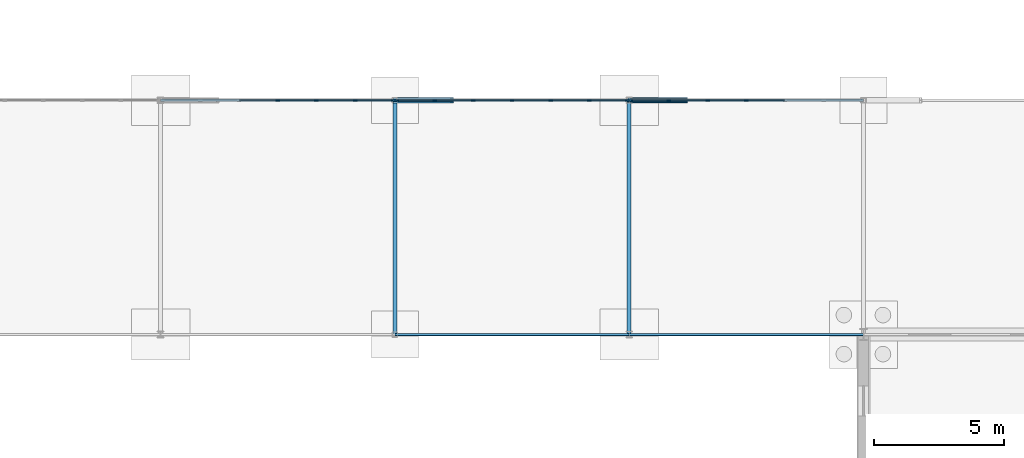
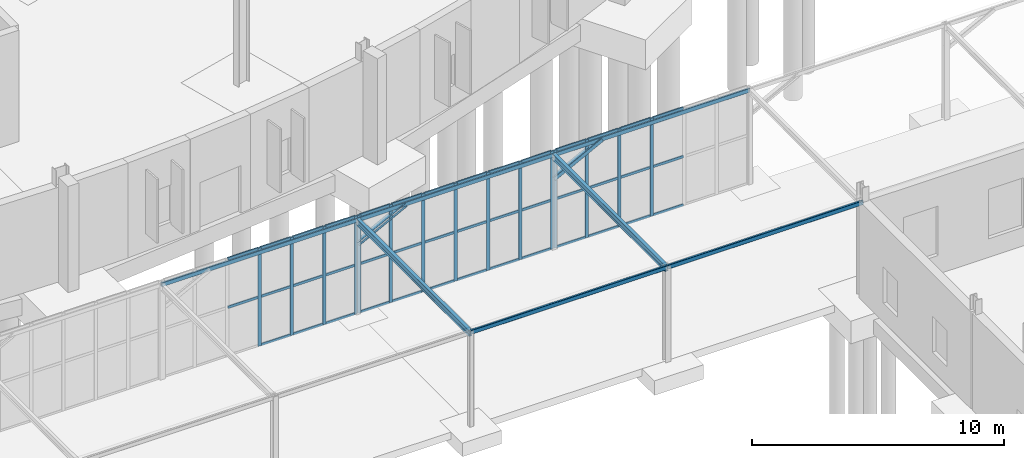
# One storey, part 54 of 118: 58 members, 7 beams, 3 elements without a shape of their own.
"""IFC4 building model written with IfcOpenShell, lengths in metres."""

from ifc_helpers import new_model, si_unit, direction, frame, origin, origin_2d, place, context, subcontext, project, spatial, rectangle, hollow_rectangle, i_section, extrude, material, material_profile, profile_set, type_object, element, aggregate, save


model = new_model("IFC4")

# Units and contexts
model_context = context("Model", 3, precision=1e-05, world=origin(), true_north=direction((0.0, 1.0)))
body_context = subcontext(model_context, "Body", "Model", "MODEL_VIEW")
ifc_project = project(units=[si_unit("LENGTHUNIT", "METRE"), si_unit("AREAUNIT", "SQUARE_METRE"), si_unit("VOLUMEUNIT", "CUBIC_METRE"), si_unit("PLANEANGLEUNIT", "RADIAN"), si_unit("MASSUNIT", "GRAM", prefix="KILO")], contexts=[model_context])

# Site, building, storey
site_placement = place(None, origin())
site = spatial("IfcSite", under=ifc_project, at=site_placement, CompositionType="ELEMENT")
building_placement = place(site_placement, origin())
building = spatial("IfcBuilding", under=site, at=building_placement, Name="Kildeholm Park Wholesale Market", CompositionType="ELEMENT")
storey_placement = place(building_placement, origin())
storey = spatial("IfcBuildingStorey", under=building, at=storey_placement, Name="L00", CompositionType="ELEMENT", Elevation=0.0)

# Beams
ifc_material_1 = material(Name="Steel S355", Category="steel")
ifc_material_profile_1 = material_profile(ifc_material_1, i_section(OverallWidth=0.14990234375, OverallDepth=0.300048828125, WebThickness=0.007080078125, FlangeThickness=0.0107421875, FilletRadius=0.014892578125, at=origin_2d()), Name="IPE 300")
ifc_profile_set_1 = profile_set([ifc_material_profile_1], Name="Steel S355")
beam_type_1 = type_object("IfcBeamType", Name="Beam B-C01 IPE 300", PredefinedType="BEAM", material=ifc_profile_set_1)
for number, where, z_axis, x_axis, name in (
    (1, (108.0, 27.0, 4.486083984375), (0.0, 1.0, 0.0), (-1.0, 0.0, 0.0), "Beam BM-V6-TR-108 BM-1809"),
    (2, (117.0, 27.0, 4.486083984375), (0.0, 1.0, 0.0), (-1.0, 0.0, 0.0), "Beam BM-V6-TR-117 BM-1812"),
):
    element("IfcBeam", number, at=place(storey_placement, frame(where, z_axis=z_axis, x_axis=x_axis)), inside=storey, type_object=beam_type_1, Name=name, PredefinedType="BEAM", context=body_context, shape_type="SweptSolid", body=[
        extrude(i_section(OverallWidth=0.14990234375, OverallDepth=0.300048828125, WebThickness=0.007080078125, FlangeThickness=0.0107421875, FilletRadius=0.014892578125, at=origin_2d()), origin(), (0.0, 0.0, 1.0), 9.0),
    ])
ifc_material_profile_2 = material_profile(ifc_material_1, hollow_rectangle(XDim=0.10009765625, YDim=0.199951171875, WallThickness=0.008056640625, InnerFilletRadius=0.008056640625, OuterFilletRadius=0.01611328125, at=origin_2d()), Name="RHS 200x100x8")
ifc_profile_set_2 = profile_set([ifc_material_profile_2], Name="Steel S355")
beam_type_2 = type_object("IfcBeamType", Name="Beam LN-01 RHS 200x100x8", PredefinedType="LINTEL", material=ifc_profile_set_2)
for number, where, z_axis, x_axis, name in (
    (3, (99.0, 36.0, 4.5400390625), (1.0, 0.0, 0.0), (0.0, 1.0, 0.0), "Beam BM-V6-N-099 BM-1808"),
    (4, (108.0, 27.0, 4.5400390625), (1.0, 0.0, 0.0), (0.0, 1.0, 0.0), "Beam BM-V6-S-108 BM-1810"),
    (5, (108.0, 36.0, 4.5400390625), (1.0, 0.0, 0.0), (0.0, 1.0, 0.0), "Beam BM-V6-N-108 BM-1811"),
    (6, (117.0, 27.0, 4.5400390625), (1.0, 0.0, 0.0), (0.0, 1.0, 0.0), "Beam BM-V6-S-117 BM-1813"),
    (7, (117.0, 36.0, 4.5400390625), (1.0, 0.0, 0.0), (0.0, 1.0, 0.0), "Beam BM-V6-N-117 BM-1814"),
):
    element("IfcBeam", number, at=place(storey_placement, frame(where, z_axis=z_axis, x_axis=x_axis)), inside=storey, type_object=beam_type_2, Name=name, PredefinedType="LINTEL", context=body_context, shape_type="SweptSolid", body=[
        extrude(hollow_rectangle(XDim=0.10009765625, YDim=0.199951171875, WallThickness=0.008056640625, InnerFilletRadius=0.008056640625, OuterFilletRadius=0.01611328125, at=origin_2d()), origin(), (0.0, 0.0, 1.0), 9.0),
    ])

# Curtain wall, members
ifc_material_2 = material(Name="Anodised aluminium and low-E double-glazed glass", Category="aluminium")
curtain_wall_type = type_object("IfcCurtainWallType", Name="Public passage glazed screen CW-04", PredefinedType="NOTDEFINED", material=ifc_material_2)
curtain_wall_1_placement = place(storey_placement, origin())
curtain_wall_1 = element("IfcCurtainWall", 8, at=curtain_wall_1_placement, inside=storey, type_object=curtain_wall_type, Name="Curtain wall CW-V6-GC-03 CW-0161", PredefinedType="NOTDEFINED")
ifc_material_3 = material(Name="Anodised aluminium", Category="aluminium")
ifc_material_profile_3 = material_profile(ifc_material_3, rectangle(XDim=0.06005859375, YDim=0.14990234375, at=origin_2d()), Name="CWM 60x150")
ifc_profile_set_3 = profile_set([ifc_material_profile_3], Name="Anodised aluminium")
member_type_1 = type_object("IfcMemberType", Name="Curtain-wall mullion CWM-3 CWM 60x150", PredefinedType="MULLION", material=ifc_profile_set_3)
member_1_placement = place(storey_placement, frame((103.5, 36.0, 0.0), z_axis=(0.0, 0.0, 1.0), x_axis=(0.0, 1.0, 0.0)))
member_1 = element("IfcMember", 9, at=member_1_placement, type_object=member_type_1, Name="CW-04 mullion 4 MEM-4893", PredefinedType="MULLION", context=body_context, shape_type="SweptSolid", body=[
    extrude(rectangle(XDim=0.06005859375, YDim=0.14990234375, at=origin_2d()), origin(), (0.0, 0.0, 1.0), 4.75),
])
member_2_placement = place(storey_placement, frame((104.986572265625, 36.0, 0.0), z_axis=(0.0, 0.0, 1.0), x_axis=(0.0, 1.0, 0.0)))
member_2 = element("IfcMember", 10, at=member_2_placement, type_object=member_type_1, Name="CW-04 mullion 5 MEM-4894", PredefinedType="MULLION", context=body_context, shape_type="SweptSolid", body=[
    extrude(rectangle(XDim=0.06005859375, YDim=0.14990234375, at=origin_2d()), origin(), (0.0, 0.0, 1.0), 4.75),
])
member_3_placement = place(storey_placement, frame((106.473388671875, 36.0, 0.0), z_axis=(0.0, 0.0, 1.0), x_axis=(0.0, 1.0, 0.0)))
member_3 = element("IfcMember", 11, at=member_3_placement, type_object=member_type_1, Name="CW-04 mullion 6 MEM-4895", PredefinedType="MULLION", context=body_context, shape_type="SweptSolid", body=[
    extrude(rectangle(XDim=0.06005859375, YDim=0.14990234375, at=origin_2d()), origin(), (0.0, 0.0, 1.0), 4.75),
])
member_4_placement = place(storey_placement, frame((107.929931640625, 36.0, 0.0), z_axis=(0.0, 0.0, 1.0), x_axis=(0.0, 1.0, 0.0)))
member_4 = element("IfcMember", 12, at=member_4_placement, type_object=member_type_1, Name="CW-04 mullion 7 MEM-4896", PredefinedType="MULLION", context=body_context, shape_type="SweptSolid", body=[
    extrude(rectangle(XDim=0.06005859375, YDim=0.14990234375, at=origin_2d()), origin(), (0.0, 0.0, 1.0), 4.75),
])

curtain_wall_2_placement = place(storey_placement, origin())
curtain_wall_2 = element("IfcCurtainWall", 13, at=curtain_wall_2_placement, inside=storey, type_object=curtain_wall_type, Name="Curtain wall CW-V6-GC-04 CW-0162", PredefinedType="NOTDEFINED")
member_5_placement = place(storey_placement, frame((108.070068359375, 36.0, 0.0), z_axis=(0.0, 0.0, 1.0), x_axis=(0.0, 1.0, 0.0)))
member_5 = element("IfcMember", 14, at=member_5_placement, type_object=member_type_1, Name="CW-04 mullion 1 MEM-4915", PredefinedType="MULLION", context=body_context, shape_type="SweptSolid", body=[
    extrude(rectangle(XDim=0.06005859375, YDim=0.14990234375, at=origin_2d()), origin(), (0.0, 0.0, 1.0), 4.75),
])
member_6_placement = place(storey_placement, frame((109.526611328125, 36.0, 0.0), z_axis=(0.0, 0.0, 1.0), x_axis=(0.0, 1.0, 0.0)))
member_6 = element("IfcMember", 15, at=member_6_placement, type_object=member_type_1, Name="CW-04 mullion 2 MEM-4916", PredefinedType="MULLION", context=body_context, shape_type="SweptSolid", body=[
    extrude(rectangle(XDim=0.06005859375, YDim=0.14990234375, at=origin_2d()), origin(), (0.0, 0.0, 1.0), 4.75),
])
member_7_placement = place(storey_placement, frame((111.013427734375, 36.0, 0.0), z_axis=(0.0, 0.0, 1.0), x_axis=(0.0, 1.0, 0.0)))
member_7 = element("IfcMember", 16, at=member_7_placement, type_object=member_type_1, Name="CW-04 mullion 3 MEM-4917", PredefinedType="MULLION", context=body_context, shape_type="SweptSolid", body=[
    extrude(rectangle(XDim=0.06005859375, YDim=0.14990234375, at=origin_2d()), origin(), (0.0, 0.0, 1.0), 4.75),
])
member_8_placement = place(storey_placement, frame((112.5, 36.0, 0.0), z_axis=(0.0, 0.0, 1.0), x_axis=(0.0, 1.0, 0.0)))
member_8 = element("IfcMember", 17, at=member_8_placement, type_object=member_type_1, Name="CW-04 mullion 4 MEM-4918", PredefinedType="MULLION", context=body_context, shape_type="SweptSolid", body=[
    extrude(rectangle(XDim=0.06005859375, YDim=0.14990234375, at=origin_2d()), origin(), (0.0, 0.0, 1.0), 4.75),
])
member_9_placement = place(storey_placement, frame((113.986572265625, 36.0, 0.0), z_axis=(0.0, 0.0, 1.0), x_axis=(0.0, 1.0, 0.0)))
member_9 = element("IfcMember", 18, at=member_9_placement, type_object=member_type_1, Name="CW-04 mullion 5 MEM-4919", PredefinedType="MULLION", context=body_context, shape_type="SweptSolid", body=[
    extrude(rectangle(XDim=0.06005859375, YDim=0.14990234375, at=origin_2d()), origin(), (0.0, 0.0, 1.0), 4.75),
])
member_10_placement = place(storey_placement, frame((115.473388671875, 36.0, 0.0), z_axis=(0.0, 0.0, 1.0), x_axis=(0.0, 1.0, 0.0)))
member_10 = element("IfcMember", 19, at=member_10_placement, type_object=member_type_1, Name="CW-04 mullion 6 MEM-4920", PredefinedType="MULLION", context=body_context, shape_type="SweptSolid", body=[
    extrude(rectangle(XDim=0.06005859375, YDim=0.14990234375, at=origin_2d()), origin(), (0.0, 0.0, 1.0), 4.75),
])
member_11_placement = place(storey_placement, frame((116.929931640625, 36.0, 0.0), z_axis=(0.0, 0.0, 1.0), x_axis=(0.0, 1.0, 0.0)))
member_11 = element("IfcMember", 20, at=member_11_placement, type_object=member_type_1, Name="CW-04 mullion 7 MEM-4921", PredefinedType="MULLION", context=body_context, shape_type="SweptSolid", body=[
    extrude(rectangle(XDim=0.06005859375, YDim=0.14990234375, at=origin_2d()), origin(), (0.0, 0.0, 1.0), 4.75),
])

curtain_wall_3_placement = place(storey_placement, origin())
curtain_wall_3 = element("IfcCurtainWall", 21, at=curtain_wall_3_placement, inside=storey, type_object=curtain_wall_type, Name="Curtain wall CW-V6-GC-05 CW-0163", PredefinedType="NOTDEFINED")
member_12_placement = place(storey_placement, frame((117.070068359375, 36.0, 0.0), z_axis=(0.0, 0.0, 1.0), x_axis=(0.0, 1.0, 0.0)))
member_12 = element("IfcMember", 22, at=member_12_placement, type_object=member_type_1, Name="CW-04 mullion 1 MEM-4940", PredefinedType="MULLION", context=body_context, shape_type="SweptSolid", body=[
    extrude(rectangle(XDim=0.06005859375, YDim=0.14990234375, at=origin_2d()), origin(), (0.0, 0.0, 1.0), 4.75),
])
member_13_placement = place(storey_placement, frame((118.526611328125, 36.0, 0.0), z_axis=(0.0, 0.0, 1.0), x_axis=(0.0, 1.0, 0.0)))
member_13 = element("IfcMember", 23, at=member_13_placement, type_object=member_type_1, Name="CW-04 mullion 2 MEM-4941", PredefinedType="MULLION", context=body_context, shape_type="SweptSolid", body=[
    extrude(rectangle(XDim=0.06005859375, YDim=0.14990234375, at=origin_2d()), origin(), (0.0, 0.0, 1.0), 4.75),
])
member_14_placement = place(storey_placement, frame((120.013427734375, 36.0, 0.0), z_axis=(0.0, 0.0, 1.0), x_axis=(0.0, 1.0, 0.0)))
member_14 = element("IfcMember", 24, at=member_14_placement, type_object=member_type_1, Name="CW-04 mullion 3 MEM-4942", PredefinedType="MULLION", context=body_context, shape_type="SweptSolid", body=[
    extrude(rectangle(XDim=0.06005859375, YDim=0.14990234375, at=origin_2d()), origin(), (0.0, 0.0, 1.0), 4.75),
])
member_15_placement = place(storey_placement, frame((121.5, 36.0, 0.0), z_axis=(0.0, 0.0, 1.0), x_axis=(0.0, 1.0, 0.0)))
member_15 = element("IfcMember", 25, at=member_15_placement, type_object=member_type_1, Name="CW-04 mullion 4 MEM-4943", PredefinedType="MULLION", context=body_context, shape_type="SweptSolid", body=[
    extrude(rectangle(XDim=0.06005859375, YDim=0.14990234375, at=origin_2d()), origin(), (0.0, 0.0, 1.0), 4.75),
])

# Member
ifc_material_profile_4 = material_profile(ifc_material_3, rectangle(XDim=0.06005859375, YDim=0.1201171875, at=origin_2d()), Name="CWT 60x120")
ifc_profile_set_4 = profile_set([ifc_material_profile_4], Name="Anodised aluminium")
member_type_2 = type_object("IfcMemberType", Name="Curtain-wall transom CWT-3 CWT 60x120", PredefinedType="USERDEFINED", material=ifc_profile_set_4)
member_16_placement = place(storey_placement, frame((102.043212890625, 36.0, 2.375), z_axis=(1.0, 0.0, 0.0), x_axis=(0.0, 1.0, 0.0)))
member_16 = element("IfcMember", 26, at=member_16_placement, type_object=member_type_2, Name="CW-04 transom 3.2 MEM-4904", ObjectType="TRANSOM", PredefinedType="USERDEFINED", context=body_context, shape_type="SweptSolid", body=[
    extrude(rectangle(XDim=0.06005859375, YDim=0.1201171875, at=origin_2d()), origin(), (0.0, 0.0, 1.0), 1.4267578125),
])

member_17_placement = place(storey_placement, frame((102.043212890625, 36.0, 4.719970703125), z_axis=(1.0, 0.0, 0.0), x_axis=(0.0, 1.0, 0.0)))
member_17 = element("IfcMember", 27, at=member_17_placement, type_object=member_type_2, Name="CW-04 transom 3.3 MEM-4905", ObjectType="TRANSOM", PredefinedType="USERDEFINED", context=body_context, shape_type="SweptSolid", body=[
    extrude(rectangle(XDim=0.06005859375, YDim=0.1201171875, at=origin_2d()), origin(), (0.0, 0.0, 1.0), 1.4267578125),
])

member_18_placement = place(storey_placement, frame((103.530029296875, 36.0, 0.030029296875), z_axis=(1.0, 0.0, 0.0), x_axis=(0.0, 1.0, 0.0)))
member_18 = element("IfcMember", 28, at=member_18_placement, type_object=member_type_2, Name="CW-04 transom 4.1 MEM-4906", ObjectType="TRANSOM", PredefinedType="USERDEFINED", context=body_context, shape_type="SweptSolid", body=[
    extrude(rectangle(XDim=0.06005859375, YDim=0.1201171875, at=origin_2d()), origin(), (0.0, 0.0, 1.0), 1.4267578125),
])

member_19_placement = place(storey_placement, frame((103.530029296875, 36.0, 2.375), z_axis=(1.0, 0.0, 0.0), x_axis=(0.0, 1.0, 0.0)))
member_19 = element("IfcMember", 29, at=member_19_placement, type_object=member_type_2, Name="CW-04 transom 4.2 MEM-4907", ObjectType="TRANSOM", PredefinedType="USERDEFINED", context=body_context, shape_type="SweptSolid", body=[
    extrude(rectangle(XDim=0.06005859375, YDim=0.1201171875, at=origin_2d()), origin(), (0.0, 0.0, 1.0), 1.4267578125),
])

member_20_placement = place(storey_placement, frame((103.530029296875, 36.0, 4.719970703125), z_axis=(1.0, 0.0, 0.0), x_axis=(0.0, 1.0, 0.0)))
member_20 = element("IfcMember", 30, at=member_20_placement, type_object=member_type_2, Name="CW-04 transom 4.3 MEM-4908", ObjectType="TRANSOM", PredefinedType="USERDEFINED", context=body_context, shape_type="SweptSolid", body=[
    extrude(rectangle(XDim=0.06005859375, YDim=0.1201171875, at=origin_2d()), origin(), (0.0, 0.0, 1.0), 1.4267578125),
])

member_21_placement = place(storey_placement, frame((105.0166015625, 36.0, 0.030029296875), z_axis=(1.0, 0.0, 0.0), x_axis=(0.0, 1.0, 0.0)))
member_21 = element("IfcMember", 31, at=member_21_placement, type_object=member_type_2, Name="CW-04 transom 5.1 MEM-4909", ObjectType="TRANSOM", PredefinedType="USERDEFINED", context=body_context, shape_type="SweptSolid", body=[
    extrude(rectangle(XDim=0.06005859375, YDim=0.1201171875, at=origin_2d()), origin(), (0.0, 0.0, 1.0), 1.4267578125),
])

member_22_placement = place(storey_placement, frame((105.0166015625, 36.0, 2.375), z_axis=(1.0, 0.0, 0.0), x_axis=(0.0, 1.0, 0.0)))
member_22 = element("IfcMember", 32, at=member_22_placement, type_object=member_type_2, Name="CW-04 transom 5.2 MEM-4910", ObjectType="TRANSOM", PredefinedType="USERDEFINED", context=body_context, shape_type="SweptSolid", body=[
    extrude(rectangle(XDim=0.06005859375, YDim=0.1201171875, at=origin_2d()), origin(), (0.0, 0.0, 1.0), 1.4267578125),
])

member_23_placement = place(storey_placement, frame((105.0166015625, 36.0, 4.719970703125), z_axis=(1.0, 0.0, 0.0), x_axis=(0.0, 1.0, 0.0)))
member_23 = element("IfcMember", 33, at=member_23_placement, type_object=member_type_2, Name="CW-04 transom 5.3 MEM-4911", ObjectType="TRANSOM", PredefinedType="USERDEFINED", context=body_context, shape_type="SweptSolid", body=[
    extrude(rectangle(XDim=0.06005859375, YDim=0.1201171875, at=origin_2d()), origin(), (0.0, 0.0, 1.0), 1.4267578125),
])

member_24_placement = place(storey_placement, frame((106.50341796875, 36.0, 0.030029296875), z_axis=(1.0, 0.0, 0.0), x_axis=(0.0, 1.0, 0.0)))
member_24 = element("IfcMember", 34, at=member_24_placement, type_object=member_type_2, Name="CW-04 transom 6.1 MEM-4912", ObjectType="TRANSOM", PredefinedType="USERDEFINED", context=body_context, shape_type="SweptSolid", body=[
    extrude(rectangle(XDim=0.06005859375, YDim=0.1201171875, at=origin_2d()), origin(), (0.0, 0.0, 1.0), 1.396484375),
])

member_25_placement = place(storey_placement, frame((106.50341796875, 36.0, 2.375), z_axis=(1.0, 0.0, 0.0), x_axis=(0.0, 1.0, 0.0)))
member_25 = element("IfcMember", 35, at=member_25_placement, type_object=member_type_2, Name="CW-04 transom 6.2 MEM-4913", ObjectType="TRANSOM", PredefinedType="USERDEFINED", context=body_context, shape_type="SweptSolid", body=[
    extrude(rectangle(XDim=0.06005859375, YDim=0.1201171875, at=origin_2d()), origin(), (0.0, 0.0, 1.0), 1.396484375),
])

member_26_placement = place(storey_placement, frame((106.50341796875, 36.0, 4.719970703125), z_axis=(1.0, 0.0, 0.0), x_axis=(0.0, 1.0, 0.0)))
member_26 = element("IfcMember", 36, at=member_26_placement, type_object=member_type_2, Name="CW-04 transom 6.3 MEM-4914", ObjectType="TRANSOM", PredefinedType="USERDEFINED", context=body_context, shape_type="SweptSolid", body=[
    extrude(rectangle(XDim=0.06005859375, YDim=0.1201171875, at=origin_2d()), origin(), (0.0, 0.0, 1.0), 1.396484375),
])

aggregate(curtain_wall_1, [member_1, member_2, member_3, member_4, member_16, member_17, member_18, member_19, member_20, member_21, member_22, member_23, member_24, member_25, member_26])

member_27_placement = place(storey_placement, frame((108.10009765625, 36.0, 0.030029296875), z_axis=(1.0, 0.0, 0.0), x_axis=(0.0, 1.0, 0.0)))
member_27 = element("IfcMember", 37, at=member_27_placement, type_object=member_type_2, Name="CW-04 transom 1.1 MEM-4922", ObjectType="TRANSOM", PredefinedType="USERDEFINED", context=body_context, shape_type="SweptSolid", body=[
    extrude(rectangle(XDim=0.06005859375, YDim=0.1201171875, at=origin_2d()), origin(), (0.0, 0.0, 1.0), 1.396484375),
])

member_28_placement = place(storey_placement, frame((108.10009765625, 36.0, 2.375), z_axis=(1.0, 0.0, 0.0), x_axis=(0.0, 1.0, 0.0)))
member_28 = element("IfcMember", 38, at=member_28_placement, type_object=member_type_2, Name="CW-04 transom 1.2 MEM-4923", ObjectType="TRANSOM", PredefinedType="USERDEFINED", context=body_context, shape_type="SweptSolid", body=[
    extrude(rectangle(XDim=0.06005859375, YDim=0.1201171875, at=origin_2d()), origin(), (0.0, 0.0, 1.0), 1.396484375),
])

member_29_placement = place(storey_placement, frame((108.10009765625, 36.0, 4.719970703125), z_axis=(1.0, 0.0, 0.0), x_axis=(0.0, 1.0, 0.0)))
member_29 = element("IfcMember", 39, at=member_29_placement, type_object=member_type_2, Name="CW-04 transom 1.3 MEM-4924", ObjectType="TRANSOM", PredefinedType="USERDEFINED", context=body_context, shape_type="SweptSolid", body=[
    extrude(rectangle(XDim=0.06005859375, YDim=0.1201171875, at=origin_2d()), origin(), (0.0, 0.0, 1.0), 1.396484375),
])

member_30_placement = place(storey_placement, frame((109.556640625, 36.0, 0.030029296875), z_axis=(1.0, 0.0, 0.0), x_axis=(0.0, 1.0, 0.0)))
member_30 = element("IfcMember", 40, at=member_30_placement, type_object=member_type_2, Name="CW-04 transom 2.1 MEM-4925", ObjectType="TRANSOM", PredefinedType="USERDEFINED", context=body_context, shape_type="SweptSolid", body=[
    extrude(rectangle(XDim=0.06005859375, YDim=0.1201171875, at=origin_2d()), origin(), (0.0, 0.0, 1.0), 1.4267578125),
])

member_31_placement = place(storey_placement, frame((109.556640625, 36.0, 2.375), z_axis=(1.0, 0.0, 0.0), x_axis=(0.0, 1.0, 0.0)))
member_31 = element("IfcMember", 41, at=member_31_placement, type_object=member_type_2, Name="CW-04 transom 2.2 MEM-4926", ObjectType="TRANSOM", PredefinedType="USERDEFINED", context=body_context, shape_type="SweptSolid", body=[
    extrude(rectangle(XDim=0.06005859375, YDim=0.1201171875, at=origin_2d()), origin(), (0.0, 0.0, 1.0), 1.4267578125),
])

member_32_placement = place(storey_placement, frame((109.556640625, 36.0, 4.719970703125), z_axis=(1.0, 0.0, 0.0), x_axis=(0.0, 1.0, 0.0)))
member_32 = element("IfcMember", 42, at=member_32_placement, type_object=member_type_2, Name="CW-04 transom 2.3 MEM-4927", ObjectType="TRANSOM", PredefinedType="USERDEFINED", context=body_context, shape_type="SweptSolid", body=[
    extrude(rectangle(XDim=0.06005859375, YDim=0.1201171875, at=origin_2d()), origin(), (0.0, 0.0, 1.0), 1.4267578125),
])

member_33_placement = place(storey_placement, frame((111.043212890625, 36.0, 0.030029296875), z_axis=(1.0, 0.0, 0.0), x_axis=(0.0, 1.0, 0.0)))
member_33 = element("IfcMember", 43, at=member_33_placement, type_object=member_type_2, Name="CW-04 transom 3.1 MEM-4928", ObjectType="TRANSOM", PredefinedType="USERDEFINED", context=body_context, shape_type="SweptSolid", body=[
    extrude(rectangle(XDim=0.06005859375, YDim=0.1201171875, at=origin_2d()), origin(), (0.0, 0.0, 1.0), 1.4267578125),
])

member_34_placement = place(storey_placement, frame((111.043212890625, 36.0, 2.375), z_axis=(1.0, 0.0, 0.0), x_axis=(0.0, 1.0, 0.0)))
member_34 = element("IfcMember", 44, at=member_34_placement, type_object=member_type_2, Name="CW-04 transom 3.2 MEM-4929", ObjectType="TRANSOM", PredefinedType="USERDEFINED", context=body_context, shape_type="SweptSolid", body=[
    extrude(rectangle(XDim=0.06005859375, YDim=0.1201171875, at=origin_2d()), origin(), (0.0, 0.0, 1.0), 1.4267578125),
])

member_35_placement = place(storey_placement, frame((111.043212890625, 36.0, 4.719970703125), z_axis=(1.0, 0.0, 0.0), x_axis=(0.0, 1.0, 0.0)))
member_35 = element("IfcMember", 45, at=member_35_placement, type_object=member_type_2, Name="CW-04 transom 3.3 MEM-4930", ObjectType="TRANSOM", PredefinedType="USERDEFINED", context=body_context, shape_type="SweptSolid", body=[
    extrude(rectangle(XDim=0.06005859375, YDim=0.1201171875, at=origin_2d()), origin(), (0.0, 0.0, 1.0), 1.4267578125),
])

member_36_placement = place(storey_placement, frame((112.530029296875, 36.0, 0.030029296875), z_axis=(1.0, 0.0, 0.0), x_axis=(0.0, 1.0, 0.0)))
member_36 = element("IfcMember", 46, at=member_36_placement, type_object=member_type_2, Name="CW-04 transom 4.1 MEM-4931", ObjectType="TRANSOM", PredefinedType="USERDEFINED", context=body_context, shape_type="SweptSolid", body=[
    extrude(rectangle(XDim=0.06005859375, YDim=0.1201171875, at=origin_2d()), origin(), (0.0, 0.0, 1.0), 1.4267578125),
])

member_37_placement = place(storey_placement, frame((112.530029296875, 36.0, 2.375), z_axis=(1.0, 0.0, 0.0), x_axis=(0.0, 1.0, 0.0)))
member_37 = element("IfcMember", 47, at=member_37_placement, type_object=member_type_2, Name="CW-04 transom 4.2 MEM-4932", ObjectType="TRANSOM", PredefinedType="USERDEFINED", context=body_context, shape_type="SweptSolid", body=[
    extrude(rectangle(XDim=0.06005859375, YDim=0.1201171875, at=origin_2d()), origin(), (0.0, 0.0, 1.0), 1.4267578125),
])

member_38_placement = place(storey_placement, frame((112.530029296875, 36.0, 4.719970703125), z_axis=(1.0, 0.0, 0.0), x_axis=(0.0, 1.0, 0.0)))
member_38 = element("IfcMember", 48, at=member_38_placement, type_object=member_type_2, Name="CW-04 transom 4.3 MEM-4933", ObjectType="TRANSOM", PredefinedType="USERDEFINED", context=body_context, shape_type="SweptSolid", body=[
    extrude(rectangle(XDim=0.06005859375, YDim=0.1201171875, at=origin_2d()), origin(), (0.0, 0.0, 1.0), 1.4267578125),
])

member_39_placement = place(storey_placement, frame((114.0166015625, 36.0, 0.030029296875), z_axis=(1.0, 0.0, 0.0), x_axis=(0.0, 1.0, 0.0)))
member_39 = element("IfcMember", 49, at=member_39_placement, type_object=member_type_2, Name="CW-04 transom 5.1 MEM-4934", ObjectType="TRANSOM", PredefinedType="USERDEFINED", context=body_context, shape_type="SweptSolid", body=[
    extrude(rectangle(XDim=0.06005859375, YDim=0.1201171875, at=origin_2d()), origin(), (0.0, 0.0, 1.0), 1.4267578125),
])

member_40_placement = place(storey_placement, frame((114.0166015625, 36.0, 2.375), z_axis=(1.0, 0.0, 0.0), x_axis=(0.0, 1.0, 0.0)))
member_40 = element("IfcMember", 50, at=member_40_placement, type_object=member_type_2, Name="CW-04 transom 5.2 MEM-4935", ObjectType="TRANSOM", PredefinedType="USERDEFINED", context=body_context, shape_type="SweptSolid", body=[
    extrude(rectangle(XDim=0.06005859375, YDim=0.1201171875, at=origin_2d()), origin(), (0.0, 0.0, 1.0), 1.4267578125),
])

member_41_placement = place(storey_placement, frame((114.0166015625, 36.0, 4.719970703125), z_axis=(1.0, 0.0, 0.0), x_axis=(0.0, 1.0, 0.0)))
member_41 = element("IfcMember", 51, at=member_41_placement, type_object=member_type_2, Name="CW-04 transom 5.3 MEM-4936", ObjectType="TRANSOM", PredefinedType="USERDEFINED", context=body_context, shape_type="SweptSolid", body=[
    extrude(rectangle(XDim=0.06005859375, YDim=0.1201171875, at=origin_2d()), origin(), (0.0, 0.0, 1.0), 1.4267578125),
])

member_42_placement = place(storey_placement, frame((115.50341796875, 36.0, 0.030029296875), z_axis=(1.0, 0.0, 0.0), x_axis=(0.0, 1.0, 0.0)))
member_42 = element("IfcMember", 52, at=member_42_placement, type_object=member_type_2, Name="CW-04 transom 6.1 MEM-4937", ObjectType="TRANSOM", PredefinedType="USERDEFINED", context=body_context, shape_type="SweptSolid", body=[
    extrude(rectangle(XDim=0.06005859375, YDim=0.1201171875, at=origin_2d()), origin(), (0.0, 0.0, 1.0), 1.396484375),
])

member_43_placement = place(storey_placement, frame((115.50341796875, 36.0, 2.375), z_axis=(1.0, 0.0, 0.0), x_axis=(0.0, 1.0, 0.0)))
member_43 = element("IfcMember", 53, at=member_43_placement, type_object=member_type_2, Name="CW-04 transom 6.2 MEM-4938", ObjectType="TRANSOM", PredefinedType="USERDEFINED", context=body_context, shape_type="SweptSolid", body=[
    extrude(rectangle(XDim=0.06005859375, YDim=0.1201171875, at=origin_2d()), origin(), (0.0, 0.0, 1.0), 1.396484375),
])

member_44_placement = place(storey_placement, frame((115.50341796875, 36.0, 4.719970703125), z_axis=(1.0, 0.0, 0.0), x_axis=(0.0, 1.0, 0.0)))
member_44 = element("IfcMember", 54, at=member_44_placement, type_object=member_type_2, Name="CW-04 transom 6.3 MEM-4939", ObjectType="TRANSOM", PredefinedType="USERDEFINED", context=body_context, shape_type="SweptSolid", body=[
    extrude(rectangle(XDim=0.06005859375, YDim=0.1201171875, at=origin_2d()), origin(), (0.0, 0.0, 1.0), 1.396484375),
])

aggregate(curtain_wall_2, [member_5, member_6, member_7, member_8, member_9, member_10, member_11, member_27, member_28, member_29, member_30, member_31, member_32, member_33, member_34, member_35, member_36, member_37, member_38, member_39, member_40, member_41, member_42, member_43, member_44])

member_45_placement = place(storey_placement, frame((117.10009765625, 36.0, 0.030029296875), z_axis=(1.0, 0.0, 0.0), x_axis=(0.0, 1.0, 0.0)))
member_45 = element("IfcMember", 55, at=member_45_placement, type_object=member_type_2, Name="CW-04 transom 1.1 MEM-4947", ObjectType="TRANSOM", PredefinedType="USERDEFINED", context=body_context, shape_type="SweptSolid", body=[
    extrude(rectangle(XDim=0.06005859375, YDim=0.1201171875, at=origin_2d()), origin(), (0.0, 0.0, 1.0), 1.396484375),
])

member_46_placement = place(storey_placement, frame((117.10009765625, 36.0, 2.375), z_axis=(1.0, 0.0, 0.0), x_axis=(0.0, 1.0, 0.0)))
member_46 = element("IfcMember", 56, at=member_46_placement, type_object=member_type_2, Name="CW-04 transom 1.2 MEM-4948", ObjectType="TRANSOM", PredefinedType="USERDEFINED", context=body_context, shape_type="SweptSolid", body=[
    extrude(rectangle(XDim=0.06005859375, YDim=0.1201171875, at=origin_2d()), origin(), (0.0, 0.0, 1.0), 1.396484375),
])

member_47_placement = place(storey_placement, frame((117.10009765625, 36.0, 4.719970703125), z_axis=(1.0, 0.0, 0.0), x_axis=(0.0, 1.0, 0.0)))
member_47 = element("IfcMember", 57, at=member_47_placement, type_object=member_type_2, Name="CW-04 transom 1.3 MEM-4949", ObjectType="TRANSOM", PredefinedType="USERDEFINED", context=body_context, shape_type="SweptSolid", body=[
    extrude(rectangle(XDim=0.06005859375, YDim=0.1201171875, at=origin_2d()), origin(), (0.0, 0.0, 1.0), 1.396484375),
])

member_48_placement = place(storey_placement, frame((118.556640625, 36.0, 0.030029296875), z_axis=(1.0, 0.0, 0.0), x_axis=(0.0, 1.0, 0.0)))
member_48 = element("IfcMember", 58, at=member_48_placement, type_object=member_type_2, Name="CW-04 transom 2.1 MEM-4950", ObjectType="TRANSOM", PredefinedType="USERDEFINED", context=body_context, shape_type="SweptSolid", body=[
    extrude(rectangle(XDim=0.06005859375, YDim=0.1201171875, at=origin_2d()), origin(), (0.0, 0.0, 1.0), 1.4267578125),
])

member_49_placement = place(storey_placement, frame((118.556640625, 36.0, 2.375), z_axis=(1.0, 0.0, 0.0), x_axis=(0.0, 1.0, 0.0)))
member_49 = element("IfcMember", 59, at=member_49_placement, type_object=member_type_2, Name="CW-04 transom 2.2 MEM-4951", ObjectType="TRANSOM", PredefinedType="USERDEFINED", context=body_context, shape_type="SweptSolid", body=[
    extrude(rectangle(XDim=0.06005859375, YDim=0.1201171875, at=origin_2d()), origin(), (0.0, 0.0, 1.0), 1.4267578125),
])

member_50_placement = place(storey_placement, frame((118.556640625, 36.0, 4.719970703125), z_axis=(1.0, 0.0, 0.0), x_axis=(0.0, 1.0, 0.0)))
member_50 = element("IfcMember", 60, at=member_50_placement, type_object=member_type_2, Name="CW-04 transom 2.3 MEM-4952", ObjectType="TRANSOM", PredefinedType="USERDEFINED", context=body_context, shape_type="SweptSolid", body=[
    extrude(rectangle(XDim=0.06005859375, YDim=0.1201171875, at=origin_2d()), origin(), (0.0, 0.0, 1.0), 1.4267578125),
])

member_51_placement = place(storey_placement, frame((120.043212890625, 36.0, 0.030029296875), z_axis=(1.0, 0.0, 0.0), x_axis=(0.0, 1.0, 0.0)))
member_51 = element("IfcMember", 61, at=member_51_placement, type_object=member_type_2, Name="CW-04 transom 3.1 MEM-4953", ObjectType="TRANSOM", PredefinedType="USERDEFINED", context=body_context, shape_type="SweptSolid", body=[
    extrude(rectangle(XDim=0.06005859375, YDim=0.1201171875, at=origin_2d()), origin(), (0.0, 0.0, 1.0), 1.4267578125),
])

member_52_placement = place(storey_placement, frame((120.043212890625, 36.0, 2.375), z_axis=(1.0, 0.0, 0.0), x_axis=(0.0, 1.0, 0.0)))
member_52 = element("IfcMember", 62, at=member_52_placement, type_object=member_type_2, Name="CW-04 transom 3.2 MEM-4954", ObjectType="TRANSOM", PredefinedType="USERDEFINED", context=body_context, shape_type="SweptSolid", body=[
    extrude(rectangle(XDim=0.06005859375, YDim=0.1201171875, at=origin_2d()), origin(), (0.0, 0.0, 1.0), 1.4267578125),
])

member_53_placement = place(storey_placement, frame((120.043212890625, 36.0, 4.719970703125), z_axis=(1.0, 0.0, 0.0), x_axis=(0.0, 1.0, 0.0)))
member_53 = element("IfcMember", 63, at=member_53_placement, type_object=member_type_2, Name="CW-04 transom 3.3 MEM-4955", ObjectType="TRANSOM", PredefinedType="USERDEFINED", context=body_context, shape_type="SweptSolid", body=[
    extrude(rectangle(XDim=0.06005859375, YDim=0.1201171875, at=origin_2d()), origin(), (0.0, 0.0, 1.0), 1.4267578125),
])

member_54_placement = place(storey_placement, frame((121.530029296875, 36.0, 0.030029296875), z_axis=(1.0, 0.0, 0.0), x_axis=(0.0, 1.0, 0.0)))
member_54 = element("IfcMember", 64, at=member_54_placement, type_object=member_type_2, Name="CW-04 transom 4.1 MEM-4956", ObjectType="TRANSOM", PredefinedType="USERDEFINED", context=body_context, shape_type="SweptSolid", body=[
    extrude(rectangle(XDim=0.06005859375, YDim=0.1201171875, at=origin_2d()), origin(), (0.0, 0.0, 1.0), 1.4267578125),
])

member_55_placement = place(storey_placement, frame((121.530029296875, 36.0, 2.375), z_axis=(1.0, 0.0, 0.0), x_axis=(0.0, 1.0, 0.0)))
member_55 = element("IfcMember", 65, at=member_55_placement, type_object=member_type_2, Name="CW-04 transom 4.2 MEM-4957", ObjectType="TRANSOM", PredefinedType="USERDEFINED", context=body_context, shape_type="SweptSolid", body=[
    extrude(rectangle(XDim=0.06005859375, YDim=0.1201171875, at=origin_2d()), origin(), (0.0, 0.0, 1.0), 1.4267578125),
])

member_56_placement = place(storey_placement, frame((121.530029296875, 36.0, 4.719970703125), z_axis=(1.0, 0.0, 0.0), x_axis=(0.0, 1.0, 0.0)))
member_56 = element("IfcMember", 66, at=member_56_placement, type_object=member_type_2, Name="CW-04 transom 4.3 MEM-4958", ObjectType="TRANSOM", PredefinedType="USERDEFINED", context=body_context, shape_type="SweptSolid", body=[
    extrude(rectangle(XDim=0.06005859375, YDim=0.1201171875, at=origin_2d()), origin(), (0.0, 0.0, 1.0), 1.4267578125),
])

aggregate(curtain_wall_3, [member_12, member_13, member_14, member_15, member_45, member_46, member_47, member_48, member_49, member_50, member_51, member_52, member_53, member_54, member_55, member_56])

# Members
ifc_material_profile_5 = material_profile(ifc_material_1, i_section(OverallWidth=0.199951171875, OverallDepth=0.199951171875, WebThickness=0.009033203125, FlangeThickness=0.014892578125, FilletRadius=0.01806640625, at=origin_2d()), Name="HEB 200")
ifc_profile_set_5 = profile_set([ifc_material_profile_5], Name="Steel S355")
member_type_3 = type_object("IfcMemberType", Name="Member PT-01 HEB 200", PredefinedType="POST", material=ifc_profile_set_5)
member_57_placement = place(storey_placement, frame((108.0, 36.0, 3.39990234375), z_axis=(0.887849952902, 0.0, 0.460133090673), x_axis=(0.0, 1.0, 0.0)))
element("IfcMember", 67, at=member_57_placement, inside=storey, type_object=member_type_3, Name="Member PT-V6-108 MEM-0385", PredefinedType="POST", context=body_context, shape_type="SweptSolid", body=[
    extrude(i_section(OverallWidth=0.199951171875, OverallDepth=0.199951171875, WebThickness=0.009033203125, FlangeThickness=0.014892578125, FilletRadius=0.01806640625, at=origin_2d()), origin(), (0.0, 0.0, 1.0), 2.477783203125),
])
ifc_material_profile_6 = material_profile(ifc_material_1, hollow_rectangle(XDim=0.199951171875, YDim=0.199951171875, WallThickness=0.012451171875, InnerFilletRadius=0.012451171875, OuterFilletRadius=0.02490234375, at=origin_2d()), Name="SHS 200x200x12.5")
ifc_profile_set_6 = profile_set([ifc_material_profile_6], Name="Steel S355")
member_type_4 = type_object("IfcMemberType", Name="Member PT-02 SHS 200x200x12.5", PredefinedType="POST", material=ifc_profile_set_6)
member_58_placement = place(storey_placement, frame((117.0, 36.0, 3.39990234375), z_axis=(0.887849952902, 0.0, 0.460133090673), x_axis=(0.0, 1.0, 0.0)))
element("IfcMember", 68, at=member_58_placement, inside=storey, type_object=member_type_4, Name="Member PT-V6-117 MEM-0386", PredefinedType="POST", context=body_context, shape_type="SweptSolid", body=[
    extrude(hollow_rectangle(XDim=0.199951171875, YDim=0.199951171875, WallThickness=0.012451171875, InnerFilletRadius=0.012451171875, OuterFilletRadius=0.02490234375, at=origin_2d()), origin(), (0.0, 0.0, 1.0), 2.477783203125),
])

save(model, "model.ifc")
